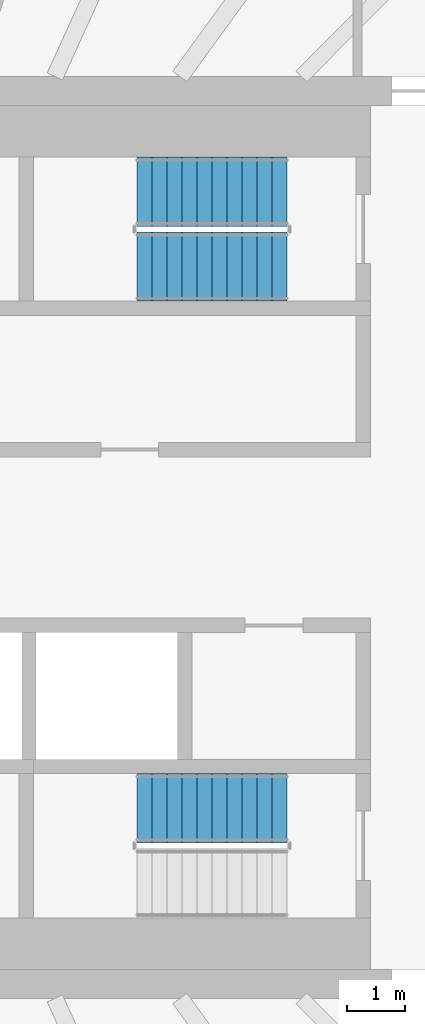
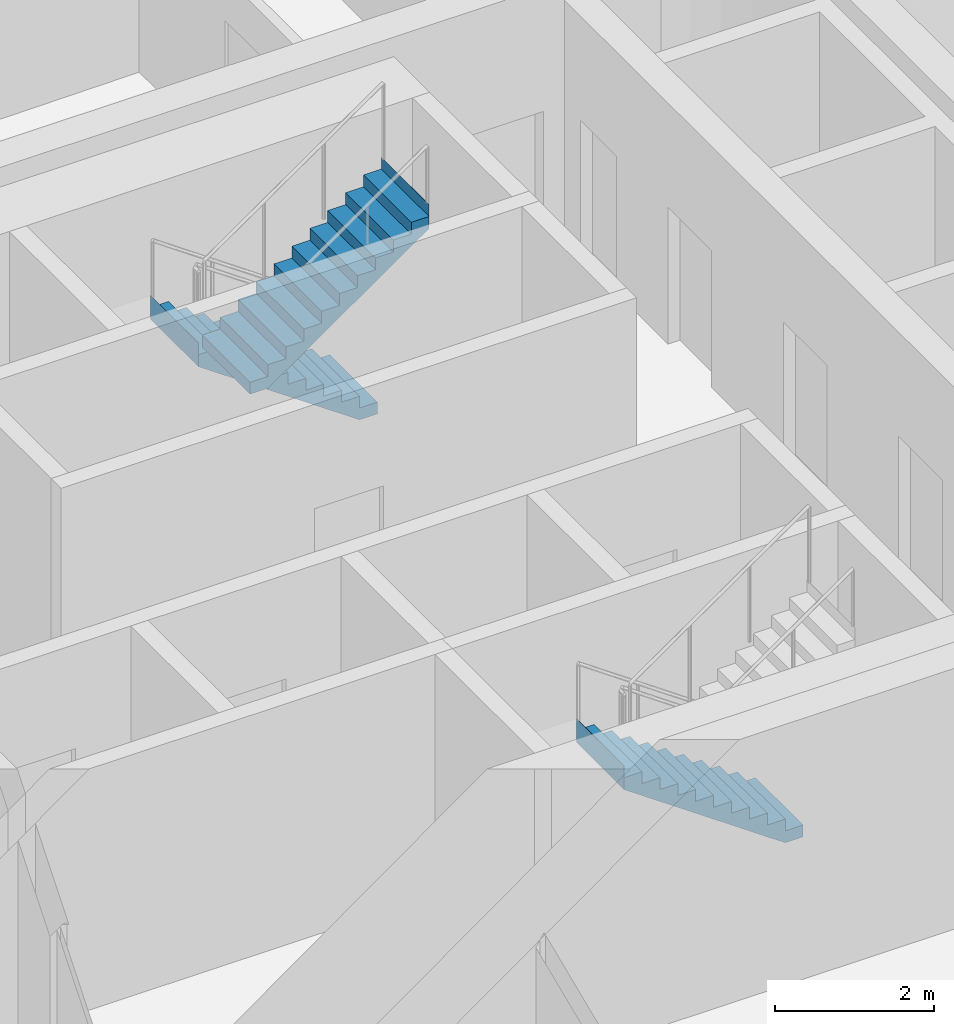
# One storey, part 16 of 21: 3 stair flights, 2 elements without a shape of their own.
"""IFC4 building model written with IfcOpenShell, lengths in metres."""

from ifc_helpers import new_model, si_unit, direction, frame, origin, place, context, subcontext, project, spatial, triangles, material, type_object, element, aggregate, save


model = new_model("IFC4")

# Units and contexts
model_context = context("Model", 3, precision=1e-05, world=origin(), true_north=direction((0.0, 1.0)))
body_context = subcontext(model_context, "Body", "Model", "MODEL_VIEW")
ifc_project = project(units=[si_unit("LENGTHUNIT", "METRE"), si_unit("AREAUNIT", "SQUARE_METRE"), si_unit("VOLUMEUNIT", "CUBIC_METRE"), si_unit("PLANEANGLEUNIT", "RADIAN"), si_unit("MASSUNIT", "GRAM", prefix="KILO")], contexts=[model_context])

# Site, building, storey
site_placement = place(None, origin())
site = spatial("IfcSite", under=ifc_project, at=site_placement, CompositionType="ELEMENT")
building_placement = place(site_placement, origin())
building = spatial("IfcBuilding", under=site, at=building_placement, Name="Sahrelin Media Tower", CompositionType="ELEMENT")
storey_placement = place(building_placement, frame((0.0, 0.0, 193.60009765625)))
storey = spatial("IfcBuildingStorey", under=building, at=storey_placement, Name="L41", CompositionType="ELEMENT", Elevation=193.60009765625)

# Stair, stair flights
ifc_material = material(Name="Concrete C40/50", Category="concrete")
stair_type = type_object("IfcStairType", Name="Exit stair 1200", PredefinedType="HALF_TURN_STAIR", material=ifc_material)
placement = place(storey_placement, origin())
stair_1 = element("IfcStair", 1, at=placement, inside=storey, type_object=stair_type, Name="L41 Exit stair ST3", PredefinedType="HALF_TURN_STAIR")
stair_flight_type = type_object("IfcStairFlightType", Name="Stair flight 1200", PredefinedType="STRAIGHT", material=ifc_material)
stair_flight_1_placement = place(storey_placement, frame((7.675048828125, 6.0, 0.0), z_axis=(0.0, 0.0, 1.0), x_axis=(-1.0, 0.0, 0.0)))
stair_flight_1 = element("IfcStairFlight", 2, at=stair_flight_1_placement, type_object=stair_flight_type, Name="ST3 flight 1", NumberOfRisers=11, NumberOfTreads=10, PredefinedType="STRAIGHT", RiserHeight=0.181818182, TreadLength=0.26, context=body_context, shape_type="Tessellation", body=[
    triangles([(0.261474609375, 0.60009765625, 0.0), (0.261474609375, 0.300048828125, 0.0), (0.261474609375, 0.0, 0.0), (0.261474609375, -0.300048828125, 0.0), (0.261474609375, -0.60009765625, 0.0), (2.60009765625, 0.60009765625, 1.63525390625), (2.60009765625, 0.300048828125, 1.63525390625), (2.60009765625, 0.0, 1.63525390625), (2.60009765625, -0.300048828125, 1.63525390625), (2.60009765625, -0.60009765625, 1.63525390625), (2.60009765625, 0.60009765625, 2.0), (2.60009765625, 0.300048828125, 2.0), (2.60009765625, 0.0, 2.0), (2.60009765625, -0.300048828125, 2.0), (2.60009765625, -0.60009765625, 2.0), (2.597900390625, 0.60009765625, 2.0), (2.597900390625, 0.300048828125, 2.0), (2.597900390625, 0.0, 2.0), (2.597900390625, -0.300048828125, 2.0), (2.597900390625, -0.60009765625, 2.0), (2.597900390625, 0.60009765625, 1.818115234375), (2.597900390625, 0.300048828125, 1.818115234375), (2.597900390625, 0.0, 1.818115234375), (2.597900390625, -0.300048828125, 1.818115234375), (2.597900390625, -0.60009765625, 1.818115234375), (2.340087890625, 0.60009765625, 1.818115234375), (2.340087890625, 0.300048828125, 1.818115234375), (2.340087890625, 0.0, 1.818115234375), (2.340087890625, -0.300048828125, 1.818115234375), (2.340087890625, -0.60009765625, 1.818115234375), (2.340087890625, 0.60009765625, 1.636474609375), (2.340087890625, 0.300048828125, 1.636474609375), (2.340087890625, 0.0, 1.636474609375), (2.340087890625, -0.300048828125, 1.636474609375), (2.340087890625, -0.60009765625, 1.636474609375), (2.080078125, 0.60009765625, 1.636474609375), (2.080078125, 0.300048828125, 1.636474609375), (2.080078125, 0.0, 1.636474609375), (2.080078125, -0.300048828125, 1.636474609375), (2.080078125, -0.60009765625, 1.636474609375), (2.080078125, 0.60009765625, 1.45458984375), (2.080078125, 0.300048828125, 1.45458984375), (2.080078125, 0.0, 1.45458984375), (2.080078125, -0.300048828125, 1.45458984375), (2.080078125, -0.60009765625, 1.45458984375), (1.820068359375, 0.60009765625, 1.45458984375), (1.820068359375, 0.300048828125, 1.45458984375), (1.820068359375, 0.0, 1.45458984375), (1.820068359375, -0.300048828125, 1.45458984375), (1.820068359375, -0.60009765625, 1.45458984375), (1.820068359375, 0.60009765625, 1.272705078125), (1.820068359375, 0.300048828125, 1.272705078125), (1.820068359375, 0.0, 1.272705078125), (1.820068359375, -0.300048828125, 1.272705078125), (1.820068359375, -0.60009765625, 1.272705078125), (1.56005859375, 0.60009765625, 1.272705078125), (1.56005859375, 0.300048828125, 1.272705078125), (1.56005859375, 0.0, 1.272705078125), (1.56005859375, -0.300048828125, 1.272705078125), (1.56005859375, -0.60009765625, 1.272705078125), (1.56005859375, 0.60009765625, 1.0908203125), (1.56005859375, 0.300048828125, 1.0908203125), (1.56005859375, 0.0, 1.0908203125), (1.56005859375, -0.300048828125, 1.0908203125), (1.56005859375, -0.60009765625, 1.0908203125), (1.300048828125, 0.60009765625, 1.0908203125), (1.300048828125, 0.300048828125, 1.0908203125), (1.300048828125, 0.0, 1.0908203125), (1.300048828125, -0.300048828125, 1.0908203125), (1.300048828125, -0.60009765625, 1.0908203125), (1.300048828125, 0.60009765625, 0.9091796875), (1.300048828125, 0.300048828125, 0.9091796875), (1.300048828125, 0.0, 0.9091796875), (1.300048828125, -0.300048828125, 0.9091796875), (1.300048828125, -0.60009765625, 0.9091796875), (1.0400390625, 0.60009765625, 0.9091796875), (1.0400390625, 0.300048828125, 0.9091796875), (1.0400390625, 0.0, 0.9091796875), (1.0400390625, -0.300048828125, 0.9091796875), (1.0400390625, -0.60009765625, 0.9091796875), (1.0400390625, 0.60009765625, 0.727294921875), (1.0400390625, 0.300048828125, 0.727294921875), (1.0400390625, 0.0, 0.727294921875), (1.0400390625, -0.300048828125, 0.727294921875), (1.0400390625, -0.60009765625, 0.727294921875), (0.780029296875, 0.60009765625, 0.727294921875), (0.780029296875, 0.300048828125, 0.727294921875), (0.780029296875, 0.0, 0.727294921875), (0.780029296875, -0.300048828125, 0.727294921875), (0.780029296875, -0.60009765625, 0.727294921875), (0.780029296875, 0.60009765625, 0.54541015625), (0.780029296875, 0.300048828125, 0.54541015625), (0.780029296875, 0.0, 0.54541015625), (0.780029296875, -0.300048828125, 0.54541015625), (0.780029296875, -0.60009765625, 0.54541015625), (0.52001953125, 0.60009765625, 0.54541015625), (0.52001953125, 0.300048828125, 0.54541015625), (0.52001953125, 0.0, 0.54541015625), (0.52001953125, -0.300048828125, 0.54541015625), (0.52001953125, -0.60009765625, 0.54541015625), (0.52001953125, 0.60009765625, 0.363525390625), (0.52001953125, 0.300048828125, 0.363525390625), (0.52001953125, 0.0, 0.363525390625), (0.52001953125, -0.300048828125, 0.363525390625), (0.52001953125, -0.60009765625, 0.363525390625), (0.260009765625, 0.60009765625, 0.363525390625), (0.260009765625, 0.300048828125, 0.363525390625), (0.260009765625, 0.0, 0.363525390625), (0.260009765625, -0.300048828125, 0.363525390625), (0.260009765625, -0.60009765625, 0.363525390625), (0.260009765625, 0.60009765625, 0.181884765625), (0.260009765625, 0.300048828125, 0.181884765625), (0.260009765625, 0.0, 0.181884765625), (0.260009765625, -0.300048828125, 0.181884765625), (0.260009765625, -0.60009765625, 0.181884765625), (0.0, 0.60009765625, 0.181884765625), (0.0, 0.300048828125, 0.181884765625), (0.0, 0.0, 0.181884765625), (0.0, -0.300048828125, 0.181884765625), (0.0, -0.60009765625, 0.181884765625), (0.0, 0.60009765625, 0.0), (0.0, 0.300048828125, 0.0), (0.0, 0.0, 0.0), (0.0, -0.300048828125, 0.0), (0.0, -0.60009765625, 0.0)], [[1, 6, 7], [1, 7, 2], [2, 7, 8], [2, 8, 3], [3, 8, 9], [3, 9, 4], [4, 9, 10], [4, 10, 5], [6, 11, 12], [6, 12, 7], [7, 12, 13], [7, 13, 8], [8, 13, 14], [8, 14, 9], [9, 14, 15], [9, 15, 10], [11, 16, 17], [11, 17, 12], [12, 17, 18], [12, 18, 13], [13, 18, 19], [13, 19, 14], [14, 19, 20], [14, 20, 15], [16, 21, 22], [16, 22, 17], [17, 22, 23], [17, 23, 18], [18, 23, 24], [18, 24, 19], [19, 24, 25], [19, 25, 20], [21, 26, 27], [21, 27, 22], [22, 27, 28], [22, 28, 23], [23, 28, 29], [23, 29, 24], [24, 29, 30], [24, 30, 25], [26, 31, 32], [26, 32, 27], [27, 32, 33], [27, 33, 28], [28, 33, 34], [28, 34, 29], [29, 34, 35], [29, 35, 30], [31, 36, 37], [31, 37, 32], [32, 37, 38], [32, 38, 33], [33, 38, 39], [33, 39, 34], [34, 39, 40], [34, 40, 35], [36, 41, 42], [36, 42, 37], [37, 42, 43], [37, 43, 38], [38, 43, 44], [38, 44, 39], [39, 44, 45], [39, 45, 40], [41, 46, 47], [41, 47, 42], [42, 47, 48], [42, 48, 43], [43, 48, 49], [43, 49, 44], [44, 49, 50], [44, 50, 45], [46, 51, 52], [46, 52, 47], [47, 52, 53], [47, 53, 48], [48, 53, 54], [48, 54, 49], [49, 54, 55], [49, 55, 50], [51, 56, 57], [51, 57, 52], [52, 57, 58], [52, 58, 53], [53, 58, 59], [53, 59, 54], [54, 59, 60], [54, 60, 55], [56, 61, 62], [56, 62, 57], [57, 62, 63], [57, 63, 58], [58, 63, 64], [58, 64, 59], [59, 64, 65], [59, 65, 60], [61, 66, 67], [61, 67, 62], [62, 67, 68], [62, 68, 63], [63, 68, 69], [63, 69, 64], [64, 69, 70], [64, 70, 65], [66, 71, 72], [66, 72, 67], [67, 72, 73], [67, 73, 68], [68, 73, 74], [68, 74, 69], [69, 74, 75], [69, 75, 70], [71, 76, 77], [71, 77, 72], [72, 77, 78], [72, 78, 73], [73, 78, 79], [73, 79, 74], [74, 79, 80], [74, 80, 75], [76, 81, 82], [76, 82, 77], [77, 82, 83], [77, 83, 78], [78, 83, 84], [78, 84, 79], [79, 84, 85], [79, 85, 80], [81, 86, 87], [81, 87, 82], [82, 87, 88], [82, 88, 83], [83, 88, 89], [83, 89, 84], [84, 89, 90], [84, 90, 85], [86, 91, 92], [86, 92, 87], [87, 92, 93], [87, 93, 88], [88, 93, 94], [88, 94, 89], [89, 94, 95], [89, 95, 90], [91, 96, 97], [91, 97, 92], [92, 97, 98], [92, 98, 93], [93, 98, 99], [93, 99, 94], [94, 99, 100], [94, 100, 95], [96, 101, 102], [96, 102, 97], [97, 102, 103], [97, 103, 98], [98, 103, 104], [98, 104, 99], [99, 104, 105], [99, 105, 100], [101, 106, 107], [101, 107, 102], [102, 107, 108], [102, 108, 103], [103, 108, 109], [103, 109, 104], [104, 109, 110], [104, 110, 105], [106, 111, 112], [106, 112, 107], [107, 112, 113], [107, 113, 108], [108, 113, 114], [108, 114, 109], [109, 114, 115], [109, 115, 110], [111, 116, 117], [111, 117, 112], [112, 117, 118], [112, 118, 113], [113, 118, 119], [113, 119, 114], [114, 119, 120], [114, 120, 115], [116, 121, 122], [116, 122, 117], [117, 122, 123], [117, 123, 118], [118, 123, 124], [118, 124, 119], [119, 124, 125], [119, 125, 120], [121, 1, 2], [121, 2, 122], [122, 2, 3], [122, 3, 123], [123, 3, 4], [123, 4, 124], [124, 4, 5], [124, 5, 125], [115, 120, 125], [111, 121, 116], [115, 105, 110], [111, 106, 101], [105, 95, 100], [101, 96, 91], [95, 85, 90], [91, 86, 81], [85, 75, 80], [81, 76, 71], [75, 65, 70], [71, 66, 61], [65, 55, 60], [61, 56, 51], [55, 45, 50], [51, 46, 41], [45, 35, 40], [41, 36, 31], [35, 25, 30], [31, 26, 21], [25, 15, 20], [21, 16, 11], [125, 5, 115], [121, 111, 1], [25, 10, 15], [21, 11, 6], [105, 115, 5], [101, 1, 111], [35, 10, 25], [31, 21, 6], [95, 105, 5], [91, 1, 101], [45, 10, 35], [41, 31, 6], [85, 95, 5], [81, 1, 91], [55, 10, 45], [51, 41, 6], [75, 85, 5], [71, 1, 81], [65, 10, 55], [61, 51, 6], [5, 10, 75], [1, 71, 6], [75, 10, 65], [71, 61, 6]], closed=True),
])
stair_flight_2_placement = place(storey_placement, frame((5.074951171875, 4.699951171875, 2.0), z_axis=(0.0, 0.0, 1.0), x_axis=(1.0, 0.0, 0.0)))
stair_flight_2 = element("IfcStairFlight", 3, at=stair_flight_2_placement, type_object=stair_flight_type, Name="ST3 flight 2", NumberOfRisers=11, NumberOfTreads=10, PredefinedType="STRAIGHT", RiserHeight=0.181818182, TreadLength=0.26, context=body_context, shape_type="Tessellation", body=[
    triangles([(0.261474609375, 0.60009765625, 0.0), (0.261474609375, 0.300048828125, 0.0), (0.261474609375, 0.0, 0.0), (0.261474609375, -0.300048828125, 0.0), (0.261474609375, -0.60009765625, 0.0), (2.60009765625, 0.60009765625, 1.63525390625), (2.60009765625, 0.300048828125, 1.63525390625), (2.60009765625, 0.0, 1.63525390625), (2.60009765625, -0.300048828125, 1.63525390625), (2.60009765625, -0.60009765625, 1.63525390625), (2.60009765625, 0.60009765625, 2.0), (2.60009765625, 0.300048828125, 2.0), (2.60009765625, 0.0, 2.0), (2.60009765625, -0.300048828125, 2.0), (2.60009765625, -0.60009765625, 2.0), (2.597900390625, 0.60009765625, 2.0), (2.597900390625, 0.300048828125, 2.0), (2.597900390625, 0.0, 2.0), (2.597900390625, -0.300048828125, 2.0), (2.597900390625, -0.60009765625, 2.0), (2.597900390625, 0.60009765625, 1.818115234375), (2.597900390625, 0.300048828125, 1.818115234375), (2.597900390625, 0.0, 1.818115234375), (2.597900390625, -0.300048828125, 1.818115234375), (2.597900390625, -0.60009765625, 1.818115234375), (2.340087890625, 0.60009765625, 1.818115234375), (2.340087890625, 0.300048828125, 1.818115234375), (2.340087890625, 0.0, 1.818115234375), (2.340087890625, -0.300048828125, 1.818115234375), (2.340087890625, -0.60009765625, 1.818115234375), (2.340087890625, 0.60009765625, 1.636474609375), (2.340087890625, 0.300048828125, 1.636474609375), (2.340087890625, 0.0, 1.636474609375), (2.340087890625, -0.300048828125, 1.636474609375), (2.340087890625, -0.60009765625, 1.636474609375), (2.080078125, 0.60009765625, 1.636474609375), (2.080078125, 0.300048828125, 1.636474609375), (2.080078125, 0.0, 1.636474609375), (2.080078125, -0.300048828125, 1.636474609375), (2.080078125, -0.60009765625, 1.636474609375), (2.080078125, 0.60009765625, 1.45458984375), (2.080078125, 0.300048828125, 1.45458984375), (2.080078125, 0.0, 1.45458984375), (2.080078125, -0.300048828125, 1.45458984375), (2.080078125, -0.60009765625, 1.45458984375), (1.820068359375, 0.60009765625, 1.45458984375), (1.820068359375, 0.300048828125, 1.45458984375), (1.820068359375, 0.0, 1.45458984375), (1.820068359375, -0.300048828125, 1.45458984375), (1.820068359375, -0.60009765625, 1.45458984375), (1.820068359375, 0.60009765625, 1.272705078125), (1.820068359375, 0.300048828125, 1.272705078125), (1.820068359375, 0.0, 1.272705078125), (1.820068359375, -0.300048828125, 1.272705078125), (1.820068359375, -0.60009765625, 1.272705078125), (1.56005859375, 0.60009765625, 1.272705078125), (1.56005859375, 0.300048828125, 1.272705078125), (1.56005859375, 0.0, 1.272705078125), (1.56005859375, -0.300048828125, 1.272705078125), (1.56005859375, -0.60009765625, 1.272705078125), (1.56005859375, 0.60009765625, 1.0908203125), (1.56005859375, 0.300048828125, 1.0908203125), (1.56005859375, 0.0, 1.0908203125), (1.56005859375, -0.300048828125, 1.0908203125), (1.56005859375, -0.60009765625, 1.0908203125), (1.300048828125, 0.60009765625, 1.0908203125), (1.300048828125, 0.300048828125, 1.0908203125), (1.300048828125, 0.0, 1.0908203125), (1.300048828125, -0.300048828125, 1.0908203125), (1.300048828125, -0.60009765625, 1.0908203125), (1.300048828125, 0.60009765625, 0.9091796875), (1.300048828125, 0.300048828125, 0.9091796875), (1.300048828125, 0.0, 0.9091796875), (1.300048828125, -0.300048828125, 0.9091796875), (1.300048828125, -0.60009765625, 0.9091796875), (1.0400390625, 0.60009765625, 0.9091796875), (1.0400390625, 0.300048828125, 0.9091796875), (1.0400390625, 0.0, 0.9091796875), (1.0400390625, -0.300048828125, 0.9091796875), (1.0400390625, -0.60009765625, 0.9091796875), (1.0400390625, 0.60009765625, 0.727294921875), (1.0400390625, 0.300048828125, 0.727294921875), (1.0400390625, 0.0, 0.727294921875), (1.0400390625, -0.300048828125, 0.727294921875), (1.0400390625, -0.60009765625, 0.727294921875), (0.780029296875, 0.60009765625, 0.727294921875), (0.780029296875, 0.300048828125, 0.727294921875), (0.780029296875, 0.0, 0.727294921875), (0.780029296875, -0.300048828125, 0.727294921875), (0.780029296875, -0.60009765625, 0.727294921875), (0.780029296875, 0.60009765625, 0.54541015625), (0.780029296875, 0.300048828125, 0.54541015625), (0.780029296875, 0.0, 0.54541015625), (0.780029296875, -0.300048828125, 0.54541015625), (0.780029296875, -0.60009765625, 0.54541015625), (0.52001953125, 0.60009765625, 0.54541015625), (0.52001953125, 0.300048828125, 0.54541015625), (0.52001953125, 0.0, 0.54541015625), (0.52001953125, -0.300048828125, 0.54541015625), (0.52001953125, -0.60009765625, 0.54541015625), (0.52001953125, 0.60009765625, 0.363525390625), (0.52001953125, 0.300048828125, 0.363525390625), (0.52001953125, 0.0, 0.363525390625), (0.52001953125, -0.300048828125, 0.363525390625), (0.52001953125, -0.60009765625, 0.363525390625), (0.260009765625, 0.60009765625, 0.363525390625), (0.260009765625, 0.300048828125, 0.363525390625), (0.260009765625, 0.0, 0.363525390625), (0.260009765625, -0.300048828125, 0.363525390625), (0.260009765625, -0.60009765625, 0.363525390625), (0.260009765625, 0.60009765625, 0.181884765625), (0.260009765625, 0.300048828125, 0.181884765625), (0.260009765625, 0.0, 0.181884765625), (0.260009765625, -0.300048828125, 0.181884765625), (0.260009765625, -0.60009765625, 0.181884765625), (0.0, 0.60009765625, 0.181884765625), (0.0, 0.300048828125, 0.181884765625), (0.0, 0.0, 0.181884765625), (0.0, -0.300048828125, 0.181884765625), (0.0, -0.60009765625, 0.181884765625), (0.0, 0.60009765625, 0.0), (0.0, 0.300048828125, 0.0), (0.0, 0.0, 0.0), (0.0, -0.300048828125, 0.0), (0.0, -0.60009765625, 0.0)], [[1, 6, 7], [1, 7, 2], [2, 7, 8], [2, 8, 3], [3, 8, 9], [3, 9, 4], [4, 9, 10], [4, 10, 5], [6, 11, 12], [6, 12, 7], [7, 12, 13], [7, 13, 8], [8, 13, 14], [8, 14, 9], [9, 14, 15], [9, 15, 10], [11, 16, 17], [11, 17, 12], [12, 17, 18], [12, 18, 13], [13, 18, 19], [13, 19, 14], [14, 19, 20], [14, 20, 15], [16, 21, 22], [16, 22, 17], [17, 22, 23], [17, 23, 18], [18, 23, 24], [18, 24, 19], [19, 24, 25], [19, 25, 20], [21, 26, 27], [21, 27, 22], [22, 27, 28], [22, 28, 23], [23, 28, 29], [23, 29, 24], [24, 29, 30], [24, 30, 25], [26, 31, 32], [26, 32, 27], [27, 32, 33], [27, 33, 28], [28, 33, 34], [28, 34, 29], [29, 34, 35], [29, 35, 30], [31, 36, 37], [31, 37, 32], [32, 37, 38], [32, 38, 33], [33, 38, 39], [33, 39, 34], [34, 39, 40], [34, 40, 35], [36, 41, 42], [36, 42, 37], [37, 42, 43], [37, 43, 38], [38, 43, 44], [38, 44, 39], [39, 44, 45], [39, 45, 40], [41, 46, 47], [41, 47, 42], [42, 47, 48], [42, 48, 43], [43, 48, 49], [43, 49, 44], [44, 49, 50], [44, 50, 45], [46, 51, 52], [46, 52, 47], [47, 52, 53], [47, 53, 48], [48, 53, 54], [48, 54, 49], [49, 54, 55], [49, 55, 50], [51, 56, 57], [51, 57, 52], [52, 57, 58], [52, 58, 53], [53, 58, 59], [53, 59, 54], [54, 59, 60], [54, 60, 55], [56, 61, 62], [56, 62, 57], [57, 62, 63], [57, 63, 58], [58, 63, 64], [58, 64, 59], [59, 64, 65], [59, 65, 60], [61, 66, 67], [61, 67, 62], [62, 67, 68], [62, 68, 63], [63, 68, 69], [63, 69, 64], [64, 69, 70], [64, 70, 65], [66, 71, 72], [66, 72, 67], [67, 72, 73], [67, 73, 68], [68, 73, 74], [68, 74, 69], [69, 74, 75], [69, 75, 70], [71, 76, 77], [71, 77, 72], [72, 77, 78], [72, 78, 73], [73, 78, 79], [73, 79, 74], [74, 79, 80], [74, 80, 75], [76, 81, 82], [76, 82, 77], [77, 82, 83], [77, 83, 78], [78, 83, 84], [78, 84, 79], [79, 84, 85], [79, 85, 80], [81, 86, 87], [81, 87, 82], [82, 87, 88], [82, 88, 83], [83, 88, 89], [83, 89, 84], [84, 89, 90], [84, 90, 85], [86, 91, 92], [86, 92, 87], [87, 92, 93], [87, 93, 88], [88, 93, 94], [88, 94, 89], [89, 94, 95], [89, 95, 90], [91, 96, 97], [91, 97, 92], [92, 97, 98], [92, 98, 93], [93, 98, 99], [93, 99, 94], [94, 99, 100], [94, 100, 95], [96, 101, 102], [96, 102, 97], [97, 102, 103], [97, 103, 98], [98, 103, 104], [98, 104, 99], [99, 104, 105], [99, 105, 100], [101, 106, 107], [101, 107, 102], [102, 107, 108], [102, 108, 103], [103, 108, 109], [103, 109, 104], [104, 109, 110], [104, 110, 105], [106, 111, 112], [106, 112, 107], [107, 112, 113], [107, 113, 108], [108, 113, 114], [108, 114, 109], [109, 114, 115], [109, 115, 110], [111, 116, 117], [111, 117, 112], [112, 117, 118], [112, 118, 113], [113, 118, 119], [113, 119, 114], [114, 119, 120], [114, 120, 115], [116, 121, 122], [116, 122, 117], [117, 122, 123], [117, 123, 118], [118, 123, 124], [118, 124, 119], [119, 124, 125], [119, 125, 120], [121, 1, 2], [121, 2, 122], [122, 2, 3], [122, 3, 123], [123, 3, 4], [123, 4, 124], [124, 4, 5], [124, 5, 125], [115, 120, 125], [111, 121, 116], [115, 105, 110], [111, 106, 101], [105, 95, 100], [101, 96, 91], [95, 85, 90], [91, 86, 81], [85, 75, 80], [81, 76, 71], [75, 65, 70], [71, 66, 61], [65, 55, 60], [61, 56, 51], [55, 45, 50], [51, 46, 41], [45, 35, 40], [41, 36, 31], [35, 25, 30], [31, 26, 21], [25, 15, 20], [21, 16, 11], [125, 5, 115], [121, 111, 1], [25, 10, 15], [21, 11, 6], [105, 115, 5], [101, 1, 111], [35, 10, 25], [31, 21, 6], [95, 105, 5], [91, 1, 101], [45, 10, 35], [41, 31, 6], [85, 95, 5], [81, 1, 91], [55, 10, 45], [51, 41, 6], [75, 85, 5], [71, 1, 81], [65, 10, 55], [61, 51, 6], [5, 10, 75], [1, 71, 6], [75, 10, 65], [71, 61, 6]], closed=True),
])
aggregate(stair_1, [stair_flight_1, stair_flight_2])

# Stair, stair flight
stair_2 = element("IfcStair", 4, at=placement, inside=storey, type_object=stair_type, Name="L41 Exit stair ST2", PredefinedType="HALF_TURN_STAIR")
stair_flight_3_placement = place(storey_placement, frame((7.675048828125, -4.699951171875, 0.0), z_axis=(0.0, 0.0, 1.0), x_axis=(-1.0, 0.0, 0.0)))
stair_flight_3 = element("IfcStairFlight", 5, at=stair_flight_3_placement, type_object=stair_flight_type, Name="ST2 flight 1", NumberOfRisers=11, NumberOfTreads=10, PredefinedType="STRAIGHT", RiserHeight=0.181818182, TreadLength=0.26, context=body_context, shape_type="Tessellation", body=[
    triangles([(0.261474609375, 0.60009765625, 0.0), (0.261474609375, 0.300048828125, 0.0), (0.261474609375, 0.0, 0.0), (0.261474609375, -0.300048828125, 0.0), (0.261474609375, -0.60009765625, 0.0), (2.60009765625, 0.60009765625, 1.63525390625), (2.60009765625, 0.300048828125, 1.63525390625), (2.60009765625, 0.0, 1.63525390625), (2.60009765625, -0.300048828125, 1.63525390625), (2.60009765625, -0.60009765625, 1.63525390625), (2.60009765625, 0.60009765625, 2.0), (2.60009765625, 0.300048828125, 2.0), (2.60009765625, 0.0, 2.0), (2.60009765625, -0.300048828125, 2.0), (2.60009765625, -0.60009765625, 2.0), (2.597900390625, 0.60009765625, 2.0), (2.597900390625, 0.300048828125, 2.0), (2.597900390625, 0.0, 2.0), (2.597900390625, -0.300048828125, 2.0), (2.597900390625, -0.60009765625, 2.0), (2.597900390625, 0.60009765625, 1.818115234375), (2.597900390625, 0.300048828125, 1.818115234375), (2.597900390625, 0.0, 1.818115234375), (2.597900390625, -0.300048828125, 1.818115234375), (2.597900390625, -0.60009765625, 1.818115234375), (2.340087890625, 0.60009765625, 1.818115234375), (2.340087890625, 0.300048828125, 1.818115234375), (2.340087890625, 0.0, 1.818115234375), (2.340087890625, -0.300048828125, 1.818115234375), (2.340087890625, -0.60009765625, 1.818115234375), (2.340087890625, 0.60009765625, 1.636474609375), (2.340087890625, 0.300048828125, 1.636474609375), (2.340087890625, 0.0, 1.636474609375), (2.340087890625, -0.300048828125, 1.636474609375), (2.340087890625, -0.60009765625, 1.636474609375), (2.080078125, 0.60009765625, 1.636474609375), (2.080078125, 0.300048828125, 1.636474609375), (2.080078125, 0.0, 1.636474609375), (2.080078125, -0.300048828125, 1.636474609375), (2.080078125, -0.60009765625, 1.636474609375), (2.080078125, 0.60009765625, 1.45458984375), (2.080078125, 0.300048828125, 1.45458984375), (2.080078125, 0.0, 1.45458984375), (2.080078125, -0.300048828125, 1.45458984375), (2.080078125, -0.60009765625, 1.45458984375), (1.820068359375, 0.60009765625, 1.45458984375), (1.820068359375, 0.300048828125, 1.45458984375), (1.820068359375, 0.0, 1.45458984375), (1.820068359375, -0.300048828125, 1.45458984375), (1.820068359375, -0.60009765625, 1.45458984375), (1.820068359375, 0.60009765625, 1.272705078125), (1.820068359375, 0.300048828125, 1.272705078125), (1.820068359375, 0.0, 1.272705078125), (1.820068359375, -0.300048828125, 1.272705078125), (1.820068359375, -0.60009765625, 1.272705078125), (1.56005859375, 0.60009765625, 1.272705078125), (1.56005859375, 0.300048828125, 1.272705078125), (1.56005859375, 0.0, 1.272705078125), (1.56005859375, -0.300048828125, 1.272705078125), (1.56005859375, -0.60009765625, 1.272705078125), (1.56005859375, 0.60009765625, 1.0908203125), (1.56005859375, 0.300048828125, 1.0908203125), (1.56005859375, 0.0, 1.0908203125), (1.56005859375, -0.300048828125, 1.0908203125), (1.56005859375, -0.60009765625, 1.0908203125), (1.300048828125, 0.60009765625, 1.0908203125), (1.300048828125, 0.300048828125, 1.0908203125), (1.300048828125, 0.0, 1.0908203125), (1.300048828125, -0.300048828125, 1.0908203125), (1.300048828125, -0.60009765625, 1.0908203125), (1.300048828125, 0.60009765625, 0.9091796875), (1.300048828125, 0.300048828125, 0.9091796875), (1.300048828125, 0.0, 0.9091796875), (1.300048828125, -0.300048828125, 0.9091796875), (1.300048828125, -0.60009765625, 0.9091796875), (1.0400390625, 0.60009765625, 0.9091796875), (1.0400390625, 0.300048828125, 0.9091796875), (1.0400390625, 0.0, 0.9091796875), (1.0400390625, -0.300048828125, 0.9091796875), (1.0400390625, -0.60009765625, 0.9091796875), (1.0400390625, 0.60009765625, 0.727294921875), (1.0400390625, 0.300048828125, 0.727294921875), (1.0400390625, 0.0, 0.727294921875), (1.0400390625, -0.300048828125, 0.727294921875), (1.0400390625, -0.60009765625, 0.727294921875), (0.780029296875, 0.60009765625, 0.727294921875), (0.780029296875, 0.300048828125, 0.727294921875), (0.780029296875, 0.0, 0.727294921875), (0.780029296875, -0.300048828125, 0.727294921875), (0.780029296875, -0.60009765625, 0.727294921875), (0.780029296875, 0.60009765625, 0.54541015625), (0.780029296875, 0.300048828125, 0.54541015625), (0.780029296875, 0.0, 0.54541015625), (0.780029296875, -0.300048828125, 0.54541015625), (0.780029296875, -0.60009765625, 0.54541015625), (0.52001953125, 0.60009765625, 0.54541015625), (0.52001953125, 0.300048828125, 0.54541015625), (0.52001953125, 0.0, 0.54541015625), (0.52001953125, -0.300048828125, 0.54541015625), (0.52001953125, -0.60009765625, 0.54541015625), (0.52001953125, 0.60009765625, 0.363525390625), (0.52001953125, 0.300048828125, 0.363525390625), (0.52001953125, 0.0, 0.363525390625), (0.52001953125, -0.300048828125, 0.363525390625), (0.52001953125, -0.60009765625, 0.363525390625), (0.260009765625, 0.60009765625, 0.363525390625), (0.260009765625, 0.300048828125, 0.363525390625), (0.260009765625, 0.0, 0.363525390625), (0.260009765625, -0.300048828125, 0.363525390625), (0.260009765625, -0.60009765625, 0.363525390625), (0.260009765625, 0.60009765625, 0.181884765625), (0.260009765625, 0.300048828125, 0.181884765625), (0.260009765625, 0.0, 0.181884765625), (0.260009765625, -0.300048828125, 0.181884765625), (0.260009765625, -0.60009765625, 0.181884765625), (0.0, 0.60009765625, 0.181884765625), (0.0, 0.300048828125, 0.181884765625), (0.0, 0.0, 0.181884765625), (0.0, -0.300048828125, 0.181884765625), (0.0, -0.60009765625, 0.181884765625), (0.0, 0.60009765625, 0.0), (0.0, 0.300048828125, 0.0), (0.0, 0.0, 0.0), (0.0, -0.300048828125, 0.0), (0.0, -0.60009765625, 0.0)], [[1, 6, 7], [1, 7, 2], [2, 7, 8], [2, 8, 3], [3, 8, 9], [3, 9, 4], [4, 9, 10], [4, 10, 5], [6, 11, 12], [6, 12, 7], [7, 12, 13], [7, 13, 8], [8, 13, 14], [8, 14, 9], [9, 14, 15], [9, 15, 10], [11, 16, 17], [11, 17, 12], [12, 17, 18], [12, 18, 13], [13, 18, 19], [13, 19, 14], [14, 19, 20], [14, 20, 15], [16, 21, 22], [16, 22, 17], [17, 22, 23], [17, 23, 18], [18, 23, 24], [18, 24, 19], [19, 24, 25], [19, 25, 20], [21, 26, 27], [21, 27, 22], [22, 27, 28], [22, 28, 23], [23, 28, 29], [23, 29, 24], [24, 29, 30], [24, 30, 25], [26, 31, 32], [26, 32, 27], [27, 32, 33], [27, 33, 28], [28, 33, 34], [28, 34, 29], [29, 34, 35], [29, 35, 30], [31, 36, 37], [31, 37, 32], [32, 37, 38], [32, 38, 33], [33, 38, 39], [33, 39, 34], [34, 39, 40], [34, 40, 35], [36, 41, 42], [36, 42, 37], [37, 42, 43], [37, 43, 38], [38, 43, 44], [38, 44, 39], [39, 44, 45], [39, 45, 40], [41, 46, 47], [41, 47, 42], [42, 47, 48], [42, 48, 43], [43, 48, 49], [43, 49, 44], [44, 49, 50], [44, 50, 45], [46, 51, 52], [46, 52, 47], [47, 52, 53], [47, 53, 48], [48, 53, 54], [48, 54, 49], [49, 54, 55], [49, 55, 50], [51, 56, 57], [51, 57, 52], [52, 57, 58], [52, 58, 53], [53, 58, 59], [53, 59, 54], [54, 59, 60], [54, 60, 55], [56, 61, 62], [56, 62, 57], [57, 62, 63], [57, 63, 58], [58, 63, 64], [58, 64, 59], [59, 64, 65], [59, 65, 60], [61, 66, 67], [61, 67, 62], [62, 67, 68], [62, 68, 63], [63, 68, 69], [63, 69, 64], [64, 69, 70], [64, 70, 65], [66, 71, 72], [66, 72, 67], [67, 72, 73], [67, 73, 68], [68, 73, 74], [68, 74, 69], [69, 74, 75], [69, 75, 70], [71, 76, 77], [71, 77, 72], [72, 77, 78], [72, 78, 73], [73, 78, 79], [73, 79, 74], [74, 79, 80], [74, 80, 75], [76, 81, 82], [76, 82, 77], [77, 82, 83], [77, 83, 78], [78, 83, 84], [78, 84, 79], [79, 84, 85], [79, 85, 80], [81, 86, 87], [81, 87, 82], [82, 87, 88], [82, 88, 83], [83, 88, 89], [83, 89, 84], [84, 89, 90], [84, 90, 85], [86, 91, 92], [86, 92, 87], [87, 92, 93], [87, 93, 88], [88, 93, 94], [88, 94, 89], [89, 94, 95], [89, 95, 90], [91, 96, 97], [91, 97, 92], [92, 97, 98], [92, 98, 93], [93, 98, 99], [93, 99, 94], [94, 99, 100], [94, 100, 95], [96, 101, 102], [96, 102, 97], [97, 102, 103], [97, 103, 98], [98, 103, 104], [98, 104, 99], [99, 104, 105], [99, 105, 100], [101, 106, 107], [101, 107, 102], [102, 107, 108], [102, 108, 103], [103, 108, 109], [103, 109, 104], [104, 109, 110], [104, 110, 105], [106, 111, 112], [106, 112, 107], [107, 112, 113], [107, 113, 108], [108, 113, 114], [108, 114, 109], [109, 114, 115], [109, 115, 110], [111, 116, 117], [111, 117, 112], [112, 117, 118], [112, 118, 113], [113, 118, 119], [113, 119, 114], [114, 119, 120], [114, 120, 115], [116, 121, 122], [116, 122, 117], [117, 122, 123], [117, 123, 118], [118, 123, 124], [118, 124, 119], [119, 124, 125], [119, 125, 120], [121, 1, 2], [121, 2, 122], [122, 2, 3], [122, 3, 123], [123, 3, 4], [123, 4, 124], [124, 4, 5], [124, 5, 125], [115, 120, 125], [111, 121, 116], [115, 105, 110], [111, 106, 101], [105, 95, 100], [101, 96, 91], [95, 85, 90], [91, 86, 81], [85, 75, 80], [81, 76, 71], [75, 65, 70], [71, 66, 61], [65, 55, 60], [61, 56, 51], [55, 45, 50], [51, 46, 41], [45, 35, 40], [41, 36, 31], [35, 25, 30], [31, 26, 21], [25, 15, 20], [21, 16, 11], [125, 5, 115], [121, 111, 1], [25, 10, 15], [21, 11, 6], [105, 115, 5], [101, 1, 111], [35, 10, 25], [31, 21, 6], [95, 105, 5], [91, 1, 101], [45, 10, 35], [41, 31, 6], [85, 95, 5], [81, 1, 91], [55, 10, 45], [51, 41, 6], [75, 85, 5], [71, 1, 81], [65, 10, 55], [61, 51, 6], [5, 10, 75], [1, 71, 6], [75, 10, 65], [71, 61, 6]], closed=True),
])
aggregate(stair_2, [stair_flight_3])

save(model, "model.ifc")
